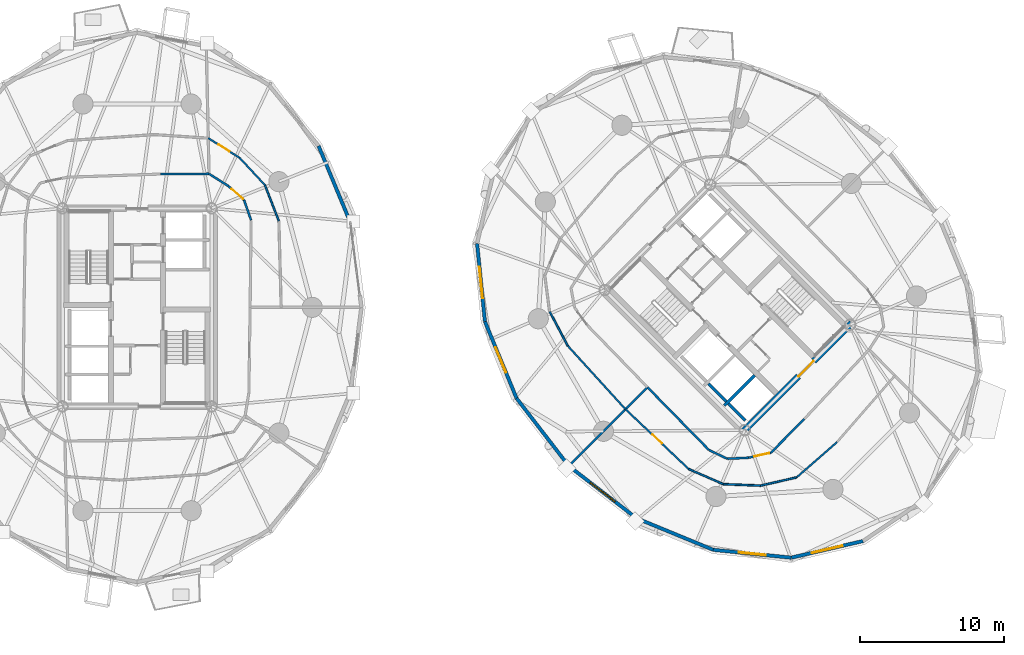
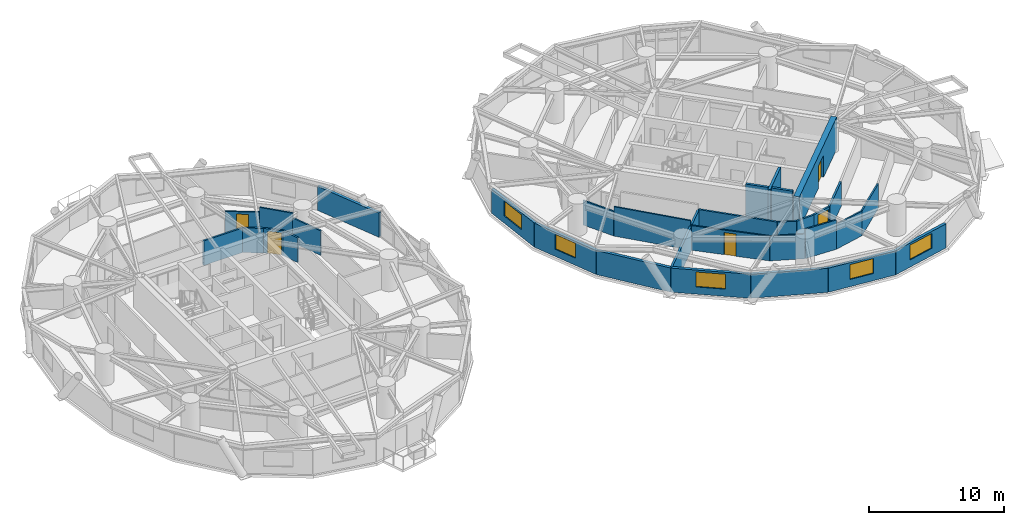
# One storey, part 12 of 18: 32 walls, 5 doors, 5 windows, 10 openings.
"""IFC4 building model written with IfcOpenShell, lengths in metres."""

from ifc_helpers import new_model, si_unit, direction, frame, frame_2d, origin, place, context, subcontext, project, spatial, rectangle, extrude, source, transform, mapped, material, layer, layer_set, type_object, element, fill, save


model = new_model("IFC4")

# Units and contexts
model_context = context("Model", 3, precision=1e-05, world=origin(), true_north=direction((0.0, 1.0)))
body_context = subcontext(model_context, "Body", "Model", "MODEL_VIEW")
ifc_project = project(units=[si_unit("LENGTHUNIT", "METRE"), si_unit("AREAUNIT", "SQUARE_METRE"), si_unit("VOLUMEUNIT", "CUBIC_METRE"), si_unit("PLANEANGLEUNIT", "RADIAN"), si_unit("MASSUNIT", "GRAM", prefix="KILO")], contexts=[model_context])

# Site, building, storey
site_placement = place(None, origin())
site = spatial("IfcSite", under=ifc_project, at=site_placement, CompositionType="ELEMENT")
building_placement = place(site_placement, origin())
building = spatial("IfcBuilding", under=site, at=building_placement, Name="Cununo Teusaquillo Station Towers", CompositionType="ELEMENT")
storey_placement = place(building_placement, frame((0.0, 0.0, 93.429931640625)))
storey = spatial("IfcBuildingStorey", under=building, at=storey_placement, Name="L29", CompositionType="ELEMENT", Elevation=93.429931640625)

# Walls
ifc_material_1 = material(Name="Concrete C50/60", Category="concrete")
ifc_layer_1 = layer(ifc_material_1, 0.199951171875)
ifc_layer_set_1 = layer_set([ifc_layer_1], Name="Concrete C50/60")
wall_type_1 = type_object("IfcWallType", Name="WL-CORE-200", PredefinedType="SHEAR", material=ifc_layer_set_1)
wall_1_placement = place(storey_placement, frame((57.2841796875, 17.6728515625, 0.0), z_axis=(0.0, 0.0, 1.0), x_axis=(0.707147878904, 0.70706568108, 0.0)))
element("IfcWall", 1, at=wall_1_placement, inside=storey, type_object=wall_type_1, Name="L29 Tower B High-Rise Lift Hoistway Divider Shear Wall", PredefinedType="SHEAR", context=body_context, shape_type="SweptSolid", body=[
    extrude(rectangle(XDim=2.97021484375, YDim=0.199951171875, at=frame_2d((1.485107421875, 0.0))), origin(), (0.0, 0.0, 1.0), 2.91015625),
])
wall_2_placement = place(storey_placement, frame((57.41162109375, 17.969970703125, 0.0), z_axis=(0.0, 0.0, 1.0), x_axis=(-0.707106781187, 0.707106781187, 0.0)))
element("IfcWall", 2, at=wall_2_placement, inside=storey, type_object=wall_type_1, Name="L29 Tower B High-Rise Lift 2 Shaft Rear Shear Wall", PredefinedType="SHEAR", context=body_context, shape_type="SweptSolid", body=[
    extrude(rectangle(XDim=1.73486328125, YDim=0.199951171875, at=frame_2d((0.867431640625, 0.0))), origin(), (0.0, 0.0, 1.0), 2.91015625),
])
wall_3_placement = place(storey_placement, frame((58.7373046875, 16.64404296875, 0.0), z_axis=(0.0, 0.0, 1.0), x_axis=(-0.707032117043, 0.707181437447, 0.0)))
element("IfcWall", 3, at=wall_3_placement, inside=storey, type_object=wall_type_1, Name="L29 Tower B High-Rise Lift 1 Shaft Rear Shear Wall", PredefinedType="SHEAR", context=body_context, shape_type="SweptSolid", body=[
    extrude(rectangle(XDim=1.635009765625, YDim=0.199951171875, at=frame_2d((0.8173828125, 0.0))), origin(), (0.0, 0.0, 1.0), 2.91015625),
])

# Wall, opening, door
ifc_material_2 = material(Name="Concrete C60/75", Category="concrete")
ifc_layer_2 = layer(ifc_material_2, 0.449951171875)
ifc_layer_set_2 = layer_set([ifc_layer_2], Name="Concrete C60/75")
wall_type_2 = type_object("IfcWallType", Name="WL-CORE-450", PredefinedType="SHEAR", material=ifc_layer_set_2)
wall_4_placement = place(storey_placement, frame((58.578369140625, 15.855712890625, 0.0), z_axis=(0.0, 0.0, 1.0), x_axis=(0.707106781187, 0.707106781187, 0.0)))
wall_4 = element("IfcWall", 4, at=wall_4_placement, inside=storey, type_object=wall_type_2, Name="L29 Tower B Core Shear Wall S", PredefinedType="SHEAR", context=body_context, shape_type="SweptSolid", body=[
    extrude(rectangle(XDim=10.69970703125, YDim=0.449951171875, at=frame_2d((5.349853515625, 0.0))), origin(), (0.0, 0.0, 1.0), 2.91015625),
])
shared_shape_1 = source(origin(), body_context, "Body", "SweptSolid", [
    extrude(rectangle(XDim=1.5, YDim=2.02001953125, at=frame_2d((0.75, 1.010009765625))), frame((0.0, 0.23486328125, 0.0), z_axis=(0.0, -1.0, 0.0), x_axis=(1.0, 0.0, 0.0)), (0.0, 0.0, 1.0), 0.469970703125),
])
opening_1_placement = place(wall_4_placement, frame((5.449951171875, 0.0, 0.0)))
opening_1 = element("IfcOpeningElement", 5, at=opening_1_placement, cuts=wall_4, Name="Opening D-LB1", PredefinedType="OPENING", context=body_context, shape_type="MappedRepresentation", body=[
    mapped(shared_shape_1, transform((0.0, 0.0, 0.0), x_axis=(1.0, 0.0, 0.0), y_axis=(0.0, 1.0, 0.0), z_axis=(0.0, 0.0, 1.0), scale=1.0)),
])
ifc_material_3 = material(Name="Galvanised fire-rated hollow steel door assembly", Category="steel")
door_type_1 = type_object("IfcDoorType", Name="DR-LOBBY-1500", OperationType="DOUBLE_DOOR_SINGLE_SWING", PredefinedType="DOOR", material=ifc_material_3)
shared_shape_2 = source(origin(), body_context, "Body", "SweptSolid", [
    extrude(rectangle(XDim=1.5, YDim=2.02001953125, at=frame_2d((0.75, 1.010009765625))), frame((0.0, 0.02490234375, 0.0), z_axis=(0.0, -1.0, 0.0), x_axis=(1.0, 0.0, 0.0)), (0.0, 0.0, 1.0), 0.050048828125),
])
door_1_placement = place(opening_1_placement, origin())
door_1 = element("IfcDoor", 6, at=door_1_placement, inside=storey, type_object=door_type_1, Name="L29 Tower B South Core Lift Lobby Door", OperationType="DOUBLE_DOOR_SINGLE_SWING", OverallHeight=2.02001953125, OverallWidth=1.5, PredefinedType="DOOR", context=body_context, shape_type="MappedRepresentation", body=[
    mapped(shared_shape_2, transform((0.0, 0.0, 0.0), x_axis=(1.0, 0.0, 0.0), y_axis=(0.0, 1.0, 0.0), z_axis=(0.0, 0.0, 1.0), scale=1.0)),
])
fill(opening_1, door_1)

# Wall
ifc_material_4 = material(Name="Precast concrete C40/50", Category="concrete")
ifc_layer_3 = layer(ifc_material_4, 0.239990234375)
ifc_layer_set_3 = layer_set([ifc_layer_3], Name="Precast concrete C40/50")
wall_type_3 = type_object("IfcWallType", Name="WL-EXT-240", PredefinedType="SOLIDWALL", material=ifc_layer_set_3)
wall_5_placement = place(storey_placement, frame((29.105224609375, 35.708984375, 0.0), z_axis=(0.0, 0.0, 1.0), x_axis=(0.384344417632, -0.923189779317, 0.0)))
element("IfcWall", 7, at=wall_5_placement, inside=storey, type_object=wall_type_3, Name="L29 Tower A Exterior Facade Wall C01", PredefinedType="SOLIDWALL", context=body_context, shape_type="SweptSolid", body=[
    extrude(rectangle(XDim=5.75830078125, YDim=0.239990234375, at=frame_2d((2.879150390625, 0.0))), origin(), (0.0, 0.0, 1.0), 2.178955078125),
])

# Wall, opening, window
wall_6_placement = place(storey_placement, frame((40.66064453125, 23.5126953125, 0.0), z_axis=(0.0, 0.0, 1.0), x_axis=(-0.10015591906, 0.994971754311, 0.0)))
wall_6 = element("IfcWall", 8, at=wall_6_placement, inside=storey, type_object=wall_type_3, Name="L29 Tower B Exterior Facade Wall C07", PredefinedType="SOLIDWALL", context=body_context, shape_type="SweptSolid", body=[
    extrude(rectangle(XDim=5.447998046875, YDim=0.239990234375, at=frame_2d((2.72412109375, 0.0))), origin(), (0.0, 0.0, 1.0), 2.178955078125),
])
shared_shape_3 = source(origin(), body_context, "Body", "SweptSolid", [
    extrude(rectangle(XDim=2.199951171875, YDim=1.35009765625, at=frame_2d((1.10009765625, 0.675048828125))), frame((0.0, 0.1298828125, 0.0), z_axis=(0.0, -1.0, 0.0), x_axis=(1.0, 0.0, 0.0)), (0.0, 0.0, 1.0), 0.260009765625),
])
opening_2_placement = place(wall_6_placement, frame((1.6240234375, 0.0, 0.64990234375)))
opening_2 = element("IfcOpeningElement", 9, at=opening_2_placement, cuts=wall_6, Name="Opening WN-01", PredefinedType="OPENING", context=body_context, shape_type="MappedRepresentation", body=[
    mapped(shared_shape_3, transform((0.0, 0.0, 0.0), x_axis=(1.0, 0.0, 0.0), y_axis=(0.0, 1.0, 0.0), z_axis=(0.0, 0.0, 1.0), scale=1.0)),
])
ifc_material_5 = material(Name="Ceramic-fritted dark low-E double glazing", Category="glass")
window_type_1 = type_object("IfcWindowType", Name="WIN-FRIT-2200", PartitioningType="DOUBLE_PANEL_VERTICAL", PredefinedType="WINDOW", material=ifc_material_5)
shared_shape_4 = source(origin(), body_context, "Body", "SweptSolid", [
    extrude(rectangle(XDim=2.199951171875, YDim=1.35009765625, at=frame_2d((1.10009765625, 0.675048828125))), frame((0.0, 0.030029296875, 0.0), z_axis=(0.0, -1.0, 0.0), x_axis=(1.0, 0.0, 0.0)), (0.0, 0.0, 1.0), 0.06005859375),
])
window_1_placement = place(opening_2_placement, origin())
window_1 = element("IfcWindow", 10, at=window_1_placement, inside=storey, type_object=window_type_1, Name="L29 Tower B Facade Window C07", OverallHeight=1.35009765625, OverallWidth=2.199951171875, PartitioningType="DOUBLE_PANEL_VERTICAL", PredefinedType="WINDOW", context=body_context, shape_type="MappedRepresentation", body=[
    mapped(shared_shape_4, transform((0.0, 0.0, 0.0), x_axis=(1.0, 0.0, 0.0), y_axis=(0.0, 1.0, 0.0), z_axis=(0.0, 0.0, 1.0), scale=1.0)),
])
fill(opening_2, window_1)

wall_7_placement = place(storey_placement, frame((42.854736328125, 18.188720703125, 0.0), z_axis=(0.0, 0.0, 1.0), x_axis=(-0.381027003055, 0.924563909604, 0.0)))
wall_7 = element("IfcWall", 11, at=wall_7_placement, inside=storey, type_object=wall_type_3, Name="L29 Tower B Exterior Facade Wall C08", PredefinedType="SOLIDWALL", context=body_context, shape_type="SweptSolid", body=[
    extrude(rectangle(XDim=5.75830078125, YDim=0.239990234375, at=frame_2d((2.879150390625, 0.0))), origin(), (0.0, 0.0, 1.0), 2.178955078125),
])
shared_shape_5 = source(origin(), body_context, "Body", "SweptSolid", [
    extrude(rectangle(XDim=1.89990234375, YDim=1.35009765625, at=frame_2d((0.949951171875, 0.675048828125))), frame((0.0, 0.1298828125, 0.0), z_axis=(0.0, -1.0, 0.0), x_axis=(1.0, 0.0, 0.0)), (0.0, 0.0, 1.0), 0.260009765625),
])
opening_3_placement = place(wall_7_placement, frame((1.928955078125, 0.0, 0.64990234375)))
opening_3 = element("IfcOpeningElement", 12, at=opening_3_placement, cuts=wall_7, Name="Opening WN-02", PredefinedType="OPENING", context=body_context, shape_type="MappedRepresentation", body=[
    mapped(shared_shape_5, transform((0.0, 0.0, 0.0), x_axis=(1.0, 0.0, 0.0), y_axis=(0.0, 1.0, 0.0), z_axis=(0.0, 0.0, 1.0), scale=1.0)),
])
ifc_material_6 = material(Name="Operable acoustic tinted low-E double glazing", Category="glass")
window_type_2 = type_object("IfcWindowType", Name="WIN-OPER-1900", PartitioningType="DOUBLE_PANEL_VERTICAL", PredefinedType="WINDOW", material=ifc_material_6)
shared_shape_6 = source(origin(), body_context, "Body", "SweptSolid", [
    extrude(rectangle(XDim=1.89990234375, YDim=1.35009765625, at=frame_2d((0.949951171875, 0.675048828125))), frame((0.0, 0.030029296875, 0.0), z_axis=(0.0, -1.0, 0.0), x_axis=(1.0, 0.0, 0.0)), (0.0, 0.0, 1.0), 0.06005859375),
])
window_2_placement = place(opening_3_placement, origin())
window_2 = element("IfcWindow", 13, at=window_2_placement, inside=storey, type_object=window_type_2, Name="L29 Tower B Facade Window C08", OverallHeight=1.35009765625, OverallWidth=1.89990234375, PartitioningType="DOUBLE_PANEL_VERTICAL", PredefinedType="WINDOW", context=body_context, shape_type="MappedRepresentation", body=[
    mapped(shared_shape_6, transform((0.0, 0.0, 0.0), x_axis=(1.0, 0.0, 0.0), y_axis=(0.0, 1.0, 0.0), z_axis=(0.0, 0.0, 1.0), scale=1.0)),
])
fill(opening_3, window_2)

# Wall
wall_8_placement = place(storey_placement, frame((46.482666015625, 13.482666015625, 0.0), z_axis=(0.0, 0.0, 1.0), x_axis=(-0.61054437102, 0.791982052206, 0.0)))
element("IfcWall", 14, at=wall_8_placement, inside=storey, type_object=wall_type_3, Name="L29 Tower B Exterior Facade Wall C09", PredefinedType="SOLIDWALL", context=body_context, shape_type="SweptSolid", body=[
    extrude(rectangle(XDim=5.942138671875, YDim=0.239990234375, at=frame_2d((2.97119140625, 0.0))), origin(), (0.0, 0.0, 1.0), 2.178955078125),
])

# Wall, opening, window
wall_9_placement = place(storey_placement, frame((51.188720703125, 9.854736328125, 0.0), z_axis=(0.0, 0.0, 1.0), x_axis=(-0.791982052206, 0.61054437102, 0.0)))
wall_9 = element("IfcWall", 15, at=wall_9_placement, inside=storey, type_object=wall_type_3, Name="L29 Tower B Exterior Facade Wall C10", PredefinedType="SOLIDWALL", context=body_context, shape_type="SweptSolid", body=[
    extrude(rectangle(XDim=5.942138671875, YDim=0.239990234375, at=frame_2d((2.97119140625, 0.0))), origin(), (0.0, 0.0, 1.0), 2.178955078125),
])
opening_4_placement = place(wall_9_placement, frame((1.87109375, 0.0, 0.64990234375)))
opening_4 = element("IfcOpeningElement", 16, at=opening_4_placement, cuts=wall_9, Name="Opening WN-01", PredefinedType="OPENING", context=body_context, shape_type="MappedRepresentation", body=[
    mapped(shared_shape_3, transform((0.0, 0.0, 0.0), x_axis=(1.0, 0.0, 0.0), y_axis=(0.0, 1.0, 0.0), z_axis=(0.0, 0.0, 1.0), scale=1.0)),
])
window_3_placement = place(opening_4_placement, origin())
window_3 = element("IfcWindow", 17, at=window_3_placement, inside=storey, type_object=window_type_1, Name="L29 Tower B Facade Window C10", OverallHeight=1.35009765625, OverallWidth=2.199951171875, PartitioningType="DOUBLE_PANEL_VERTICAL", PredefinedType="WINDOW", context=body_context, shape_type="MappedRepresentation", body=[
    mapped(shared_shape_4, transform((0.0, 0.0, 0.0), x_axis=(1.0, 0.0, 0.0), y_axis=(0.0, 1.0, 0.0), z_axis=(0.0, 0.0, 1.0), scale=1.0)),
])
fill(opening_4, window_3)

# Wall
wall_10_placement = place(storey_placement, frame((56.5126953125, 7.66064453125, 0.0), z_axis=(0.0, 0.0, 1.0), x_axis=(-0.924563909604, 0.381027003055, 0.0)))
element("IfcWall", 18, at=wall_10_placement, inside=storey, type_object=wall_type_3, Name="L29 Tower B Exterior Facade Wall C11", PredefinedType="SOLIDWALL", context=body_context, shape_type="SweptSolid", body=[
    extrude(rectangle(XDim=5.75830078125, YDim=0.239990234375, at=frame_2d((2.879150390625, 0.0))), origin(), (0.0, 0.0, 1.0), 2.178955078125),
])

# Wall, opening, window
wall_11_placement = place(storey_placement, frame((61.933349609375, 7.114990234375, 0.0), z_axis=(0.0, 0.0, 1.0), x_axis=(-0.994971754311, 0.10015591906, 0.0)))
wall_11 = element("IfcWall", 19, at=wall_11_placement, inside=storey, type_object=wall_type_3, Name="L29 Tower B Exterior Facade Wall C12", PredefinedType="SOLIDWALL", context=body_context, shape_type="SweptSolid", body=[
    extrude(rectangle(XDim=5.447998046875, YDim=0.239990234375, at=frame_2d((2.72412109375, 0.0))), origin(), (0.0, 0.0, 1.0), 2.178955078125),
])
opening_5_placement = place(wall_11_placement, frame((1.77392578125, 0.0, 0.64990234375)))
opening_5 = element("IfcOpeningElement", 20, at=opening_5_placement, cuts=wall_11, Name="Opening WN-02", PredefinedType="OPENING", context=body_context, shape_type="MappedRepresentation", body=[
    mapped(shared_shape_5, transform((0.0, 0.0, 0.0), x_axis=(1.0, 0.0, 0.0), y_axis=(0.0, 1.0, 0.0), z_axis=(0.0, 0.0, 1.0), scale=1.0)),
])
window_4_placement = place(opening_5_placement, origin())
window_4 = element("IfcWindow", 21, at=window_4_placement, inside=storey, type_object=window_type_2, Name="L29 Tower B Facade Window C12", OverallHeight=1.35009765625, OverallWidth=1.89990234375, PartitioningType="DOUBLE_PANEL_VERTICAL", PredefinedType="WINDOW", context=body_context, shape_type="MappedRepresentation", body=[
    mapped(shared_shape_6, transform((0.0, 0.0, 0.0), x_axis=(1.0, 0.0, 0.0), y_axis=(0.0, 1.0, 0.0), z_axis=(0.0, 0.0, 1.0), scale=1.0)),
])
fill(opening_5, window_4)

wall_12_placement = place(storey_placement, frame((66.919921875, 8.27099609375, 0.0), z_axis=(0.0, 0.0, 1.0), x_axis=(-0.974165631126, -0.225834725257, 0.0)))
wall_12 = element("IfcWall", 22, at=wall_12_placement, inside=storey, type_object=wall_type_3, Name="L29 Tower B Exterior Facade Wall C13", PredefinedType="SOLIDWALL", context=body_context, shape_type="SweptSolid", body=[
    extrude(rectangle(XDim=5.118896484375, YDim=0.239990234375, at=frame_2d((2.5595703125, 0.0))), origin(), (0.0, 0.0, 1.0), 2.178955078125),
])
opening_6_placement = place(wall_12_placement, frame((1.458984375, 0.0, 0.64990234375)))
opening_6 = element("IfcOpeningElement", 23, at=opening_6_placement, cuts=wall_12, Name="Opening WN-01", PredefinedType="OPENING", context=body_context, shape_type="MappedRepresentation", body=[
    mapped(shared_shape_3, transform((0.0, 0.0, 0.0), x_axis=(1.0, 0.0, 0.0), y_axis=(0.0, 1.0, 0.0), z_axis=(0.0, 0.0, 1.0), scale=1.0)),
])
window_5_placement = place(opening_6_placement, origin())
window_5 = element("IfcWindow", 24, at=window_5_placement, inside=storey, type_object=window_type_1, Name="L29 Tower B Facade Window C13", OverallHeight=1.35009765625, OverallWidth=2.199951171875, PartitioningType="DOUBLE_PANEL_VERTICAL", PredefinedType="WINDOW", context=body_context, shape_type="MappedRepresentation", body=[
    mapped(shared_shape_4, transform((0.0, 0.0, 0.0), x_axis=(1.0, 0.0, 0.0), y_axis=(0.0, 1.0, 0.0), z_axis=(0.0, 0.0, 1.0), scale=1.0)),
])
fill(opening_6, window_5)

# Walls
ifc_material_7 = material(Name="Fire-rated gypsum plasterboard partition assembly", Category="gypsum")
ifc_layer_4 = layer(ifc_material_7, 0.125)
ifc_layer_set_4 = layer_set([ifc_layer_4], Name="Fire-rated gypsum plasterboard partition assembly")
wall_type_4 = type_object("IfcWallType", Name="WL-PART-125", PredefinedType="PARTITIONING", material=ifc_layer_set_4)
wall_13_placement = place(storey_placement, frame((26.34619140625, 30.50390625, 0.0), z_axis=(0.0, 0.0, 1.0), x_axis=(-0.362402208915, 0.932021801769, 0.0)))
element("IfcWall", 25, at=wall_13_placement, inside=storey, type_object=wall_type_4, Name="L29 Tower A Digital Engineering Open Workplace Concentric Partition Wall C01", PredefinedType="PARTITIONING", context=body_context, shape_type="SweptSolid", body=[
    extrude(rectangle(XDim=2.674560546875, YDim=0.125, at=frame_2d((1.33740234375, 0.0))), origin(), (0.0, 0.0, 1.0), 2.22509765625),
])
wall_14_placement = place(storey_placement, frame((25.376953125, 32.99658203125, 0.0), z_axis=(0.0, 0.0, 1.0), x_axis=(-0.680516524321, 0.732732734445, 0.0)))
element("IfcWall", 26, at=wall_14_placement, inside=storey, type_object=wall_type_4, Name="L29 Tower A Digital Engineering Open Workplace Concentric Partition Wall C02", PredefinedType="PARTITIONING", context=body_context, shape_type="SweptSolid", body=[
    extrude(rectangle(XDim=2.576171875, YDim=0.125, at=frame_2d((1.2880859375, 0.0))), origin(), (0.0, 0.0, 1.0), 2.655029296875),
])

# Wall, opening, door
wall_15_placement = place(storey_placement, frame((23.623779296875, 34.88427734375, 0.0), z_axis=(0.0, 0.0, 1.0), x_axis=(-0.84728326465, 0.531141289531, 0.0)))
wall_15 = element("IfcWall", 27, at=wall_15_placement, inside=storey, type_object=wall_type_4, Name="L29 Tower A Digital Engineering Open Workplace Concentric Partition Wall C03", PredefinedType="PARTITIONING", context=body_context, shape_type="SweptSolid", body=[
    extrude(rectangle(XDim=2.5732421875, YDim=0.125, at=frame_2d((1.28662109375, 0.0))), origin(), (0.0, 0.0, 1.0), 2.22509765625),
])
shared_shape_7 = source(origin(), body_context, "Body", "SweptSolid", [
    extrude(rectangle(XDim=0.89990234375, YDim=2.0048828125, at=frame_2d((0.449951171875, 1.00244140625))), frame((0.0, 0.072509765625, 0.0), z_axis=(0.0, -1.0, 0.0), x_axis=(1.0, 0.0, 0.0)), (0.0, 0.0, 1.0), 0.14501953125),
])
opening_7_placement = place(wall_15_placement, frame((0.83642578125, 0.0, 0.0)))
opening_7 = element("IfcOpeningElement", 28, at=opening_7_placement, cuts=wall_15, Name="Opening D-IN1", PredefinedType="OPENING", context=body_context, shape_type="MappedRepresentation", body=[
    mapped(shared_shape_7, transform((0.0, 0.0, 0.0), x_axis=(1.0, 0.0, 0.0), y_axis=(0.0, 1.0, 0.0), z_axis=(0.0, 0.0, 1.0), scale=1.0)),
])
ifc_material_8 = material(Name="Acoustic solid-core hardwood leaf assembly", Category="wood")
door_type_2 = type_object("IfcDoorType", Name="DR-INT-900", OperationType="NOTDEFINED", PredefinedType="DOOR", material=ifc_material_8)
shared_shape_8 = source(origin(), body_context, "Body", "SweptSolid", [
    extrude(rectangle(XDim=0.89990234375, YDim=2.0048828125, at=frame_2d((0.449951171875, 1.00244140625))), frame((0.0, 0.02490234375, 0.0), z_axis=(0.0, -1.0, 0.0), x_axis=(1.0, 0.0, 0.0)), (0.0, 0.0, 1.0), 0.050048828125),
])
door_2_placement = place(opening_7_placement, origin())
door_2 = element("IfcDoor", 29, at=door_2_placement, inside=storey, type_object=door_type_2, Name="L29 Tower A Digital Engineering Open Workplace Connecting Door", OperationType="SINGLE_SWING_LEFT", OverallHeight=2.0048828125, OverallWidth=0.89990234375, PredefinedType="DOOR", context=body_context, shape_type="MappedRepresentation", body=[
    mapped(shared_shape_8, transform((0.0, 0.0, 0.0), x_axis=(1.0, 0.0, 0.0), y_axis=(0.0, 1.0, 0.0), z_axis=(0.0, 0.0, 1.0), scale=1.0)),
])
fill(opening_7, door_2)

# Walls
wall_16_placement = place(storey_placement, frame((45.147705078125, 24.216552734375, 0.0), z_axis=(0.0, 0.0, 1.0), x_axis=(0.46760107134, -0.883939612237, 0.0)))
element("IfcWall", 30, at=wall_16_placement, inside=storey, type_object=wall_type_4, Name="L29 Tower B Client Demo Briefing Gallery Concentric Partition Wall C08", PredefinedType="PARTITIONING", context=body_context, shape_type="SweptSolid", body=[
    extrude(rectangle(XDim=2.700439453125, YDim=0.125, at=frame_2d((1.35009765625, 0.0))), origin(), (0.0, 0.0, 1.0), 2.22509765625),
])
wall_17_placement = place(storey_placement, frame((46.410400390625, 21.82958984375, 0.0), z_axis=(0.0, 0.0, 1.0), x_axis=(0.6732109009, -0.739450527696, 0.0)))
element("IfcWall", 31, at=wall_17_placement, inside=storey, type_object=wall_type_4, Name="L29 Tower B Client Demo Briefing Gallery Concentric Partition Wall C09", PredefinedType="PARTITIONING", context=body_context, shape_type="SweptSolid", body=[
    extrude(rectangle(XDim=5.959716796875, YDim=0.125, at=frame_2d((2.97998046875, 0.0))), origin(), (0.0, 0.0, 1.0), 2.655029296875),
])

# Wall, opening, door
wall_18_placement = place(storey_placement, frame((50.422607421875, 17.422607421875, 0.0), z_axis=(0.0, 0.0, 1.0), x_axis=(0.726497320663, -0.68716929724, 0.0)))
wall_18 = element("IfcWall", 32, at=wall_18_placement, inside=storey, type_object=wall_type_4, Name="L29 Tower B Staff Espresso & Pantry Lounge Concentric Partition Wall C10", PredefinedType="PARTITIONING", context=body_context, shape_type="SweptSolid", body=[
    extrude(rectangle(XDim=6.040283203125, YDim=0.125, at=frame_2d((3.02001953125, 0.0))), origin(), (0.0, 0.0, 1.0), 2.22509765625),
])
opening_8_placement = place(wall_18_placement, frame((2.570068359375, 0.0, 0.0)))
opening_8 = element("IfcOpeningElement", 33, at=opening_8_placement, cuts=wall_18, Name="Opening D-IN1", PredefinedType="OPENING", context=body_context, shape_type="MappedRepresentation", body=[
    mapped(shared_shape_7, transform((0.0, 0.0, 0.0), x_axis=(1.0, 0.0, 0.0), y_axis=(0.0, 1.0, 0.0), z_axis=(0.0, 0.0, 1.0), scale=1.0)),
])
door_3_placement = place(opening_8_placement, origin())
door_3 = element("IfcDoor", 34, at=door_3_placement, inside=storey, type_object=door_type_2, Name="L29 Tower B Staff Espresso & Pantry Lounge Connecting Door", OperationType="SINGLE_SWING_LEFT", OverallHeight=2.0048828125, OverallWidth=0.89990234375, PredefinedType="DOOR", context=body_context, shape_type="MappedRepresentation", body=[
    mapped(shared_shape_8, transform((0.0, 0.0, 0.0), x_axis=(1.0, 0.0, 0.0), y_axis=(0.0, 1.0, 0.0), z_axis=(0.0, 0.0, 1.0), scale=1.0)),
])
fill(opening_8, door_3)

# Walls
wall_19_placement = place(storey_placement, frame((54.810791015625, 13.27197265625, 0.0), z_axis=(0.0, 0.0, 1.0), x_axis=(0.91625765715, -0.400589447831, 0.0)))
element("IfcWall", 35, at=wall_19_placement, inside=storey, type_object=wall_type_4, Name="L29 Tower B Staff Espresso & Pantry Lounge Concentric Partition Wall C11", PredefinedType="PARTITIONING", context=body_context, shape_type="SweptSolid", body=[
    extrude(rectangle(XDim=2.624267578125, YDim=0.125, at=frame_2d((1.31201171875, 0.0))), origin(), (0.0, 0.0, 1.0), 2.22509765625),
])
wall_20_placement = place(storey_placement, frame((57.21533203125, 12.220703125, 0.0), z_axis=(0.0, 0.0, 1.0), x_axis=(0.999225050732, -0.039361122818, 0.0)))
element("IfcWall", 36, at=wall_20_placement, inside=storey, type_object=wall_type_4, Name="L29 Tower B Staff Espresso & Pantry Lounge Concentric Partition Wall C12", PredefinedType="PARTITIONING", context=body_context, shape_type="SweptSolid", body=[
    extrude(rectangle(XDim=2.58642578125, YDim=0.125, at=frame_2d((1.293212890625, 0.0))), origin(), (0.0, 0.0, 1.0), 2.655029296875),
])
wall_21_placement = place(storey_placement, frame((59.7998046875, 12.118896484375, 0.0), z_axis=(0.0, 0.0, 1.0), x_axis=(0.975045061532, 0.222007044895, 0.0)))
element("IfcWall", 37, at=wall_21_placement, inside=storey, type_object=wall_type_4, Name="L29 Tower B Staff Espresso & Pantry Lounge Concentric Partition Wall C13", PredefinedType="PARTITIONING", context=body_context, shape_type="SweptSolid", body=[
    extrude(rectangle(XDim=2.570068359375, YDim=0.125, at=frame_2d((1.28515625, 0.0))), origin(), (0.0, 0.0, 1.0), 2.22509765625),
])
wall_22_placement = place(storey_placement, frame((62.3056640625, 12.689453125, 0.0), z_axis=(0.0, 0.0, 1.0), x_axis=(0.753127589311, 0.657874482115, 0.0)))
element("IfcWall", 38, at=wall_22_placement, inside=storey, type_object=wall_type_4, Name="L29 Tower B Staff Espresso & Pantry Lounge Concentric Partition Wall C14", PredefinedType="PARTITIONING", context=body_context, shape_type="SweptSolid", body=[
    extrude(rectangle(XDim=3.73193359375, YDim=0.125, at=frame_2d((1.865966796875, 0.0))), origin(), (0.0, 0.0, 1.0), 2.22509765625),
])
ifc_material_9 = material(Name="Fire-rated gypsum plasterboard partition assembly", Category="gypsum")
ifc_layer_5 = layer(ifc_material_9, 0.14990234375)
ifc_layer_set_5 = layer_set([ifc_layer_5], Name="Fire-rated gypsum plasterboard partition assembly")
wall_type_5 = type_object("IfcWallType", Name="WL-PART-150", PredefinedType="PARTITIONING", material=ifc_layer_set_5)
wall_23_placement = place(storey_placement, frame((24.420166015625, 30.54931640625, 0.0), z_axis=(0.0, 0.0, 1.0), x_axis=(-0.329071042252, 0.944305167386, 0.0)))
element("IfcWall", 39, at=wall_23_placement, inside=storey, type_object=wall_type_5, Name="L29 Tower A Corridor Ring Wall C01", PredefinedType="PARTITIONING", context=body_context, shape_type="SweptSolid", body=[
    extrude(rectangle(XDim=1.479248046875, YDim=0.14990234375, at=frame_2d((0.73974609375, 0.0))), origin(), (0.0, 0.0, 1.0), 2.22509765625),
])

# Wall, opening, door
wall_24_placement = place(storey_placement, frame((23.933349609375, 31.9462890625, 0.0), z_axis=(0.0, 0.0, 1.0), x_axis=(-0.744529651383, 0.667589393423, 0.0)))
wall_24 = element("IfcWall", 40, at=wall_24_placement, inside=storey, type_object=wall_type_5, Name="L29 Tower A Corridor Ring Wall C02", PredefinedType="PARTITIONING", context=body_context, shape_type="SweptSolid", body=[
    extrude(rectangle(XDim=1.472412109375, YDim=0.14990234375, at=frame_2d((0.736328125, 0.0))), origin(), (0.0, 0.0, 1.0), 2.22509765625),
])
shared_shape_9 = source(origin(), body_context, "Body", "SweptSolid", [
    extrude(rectangle(XDim=1.050048828125, YDim=2.014892578125, at=frame_2d((0.52490234375, 1.00732421875))), frame((0.0, 0.0849609375, 0.0), z_axis=(0.0, -1.0, 0.0), x_axis=(1.0, 0.0, 0.0)), (0.0, 0.0, 1.0), 0.169921875),
])
opening_9_placement = place(wall_24_placement, frame((0.1201171875, 0.0, 0.0)))
opening_9 = element("IfcOpeningElement", 41, at=opening_9_placement, cuts=wall_24, Name="Opening D-SU1", PredefinedType="OPENING", context=body_context, shape_type="MappedRepresentation", body=[
    mapped(shared_shape_9, transform((0.0, 0.0, 0.0), x_axis=(1.0, 0.0, 0.0), y_axis=(0.0, 1.0, 0.0), z_axis=(0.0, 0.0, 1.0), scale=1.0)),
])
ifc_material_10 = material(Name="Acoustic solid-core hardwood leaf assembly", Category="wood")
door_type_3 = type_object("IfcDoorType", Name="DR-SUITE-1050", OperationType="NOTDEFINED", PredefinedType="DOOR", material=ifc_material_10)
shared_shape_10 = source(origin(), body_context, "Body", "SweptSolid", [
    extrude(rectangle(XDim=1.050048828125, YDim=2.014892578125, at=frame_2d((0.52490234375, 1.00732421875))), frame((0.0, 0.02490234375, 0.0), z_axis=(0.0, -1.0, 0.0), x_axis=(1.0, 0.0, 0.0)), (0.0, 0.0, 1.0), 0.050048828125),
])
door_4_placement = place(opening_9_placement, origin())
door_4 = element("IfcDoor", 42, at=door_4_placement, inside=storey, type_object=door_type_3, Name="L29 Tower A Digital Engineering Open Workplace Entrance Door", OperationType="SINGLE_SWING_RIGHT", OverallHeight=2.014892578125, OverallWidth=1.050048828125, PredefinedType="DOOR", context=body_context, shape_type="MappedRepresentation", body=[
    mapped(shared_shape_10, transform((0.0, 0.0, 0.0), x_axis=(1.0, 0.0, 0.0), y_axis=(0.0, 1.0, 0.0), z_axis=(0.0, 0.0, 1.0), scale=1.0)),
])
fill(opening_9, door_4)

# Walls
wall_25_placement = place(storey_placement, frame((22.837158203125, 32.92919921875, 0.0), z_axis=(0.0, 0.0, 1.0), x_axis=(-0.84581079329, 0.533482991252, 0.0)))
element("IfcWall", 43, at=wall_25_placement, inside=storey, type_object=wall_type_5, Name="L29 Tower A Corridor Ring Wall C03", PredefinedType="PARTITIONING", context=body_context, shape_type="SweptSolid", body=[
    extrude(rectangle(XDim=1.585205078125, YDim=0.14990234375, at=frame_2d((0.79248046875, 0.0))), origin(), (0.0, 0.0, 1.0), 2.22509765625),
])
wall_26_placement = place(storey_placement, frame((21.496337890625, 33.77490234375, 0.0), z_axis=(0.0, 0.0, 1.0), x_axis=(-0.999989544737, -0.004572790979, 0.0)))
element("IfcWall", 44, at=wall_26_placement, inside=storey, type_object=wall_type_5, Name="L29 Tower A Corridor Ring Wall C04", PredefinedType="PARTITIONING", context=body_context, shape_type="SweptSolid", body=[
    extrude(rectangle(XDim=3.363525390625, YDim=0.14990234375, at=frame_2d((1.681640625, 0.0))), origin(), (0.0, 0.0, 1.0), 2.22509765625),
])
wall_27_placement = place(storey_placement, frame((51.94921875, 18.94921875, 0.0), z_axis=(0.0, 0.0, 1.0), x_axis=(0.699801520154, -0.714337337951, 0.0)))
element("IfcWall", 45, at=wall_27_placement, inside=storey, type_object=wall_type_5, Name="L29 Tower B Corridor Ring Wall C10", PredefinedType="PARTITIONING", context=body_context, shape_type="SweptSolid", body=[
    extrude(rectangle(XDim=6.096923828125, YDim=0.14990234375, at=frame_2d((3.04833984375, 0.0))), origin(), (0.0, 0.0, 1.0), 2.22509765625),
])
wall_28_placement = place(storey_placement, frame((56.2158203125, 14.593994140625, 0.0), z_axis=(0.0, 0.0, 1.0), x_axis=(0.902219207281, -0.431277755064, 0.0)))
element("IfcWall", 46, at=wall_28_placement, inside=storey, type_object=wall_type_5, Name="L29 Tower B Corridor Ring Wall C11", PredefinedType="PARTITIONING", context=body_context, shape_type="SweptSolid", body=[
    extrude(rectangle(XDim=1.40966796875, YDim=0.14990234375, at=frame_2d((0.704833984375, 0.0))), origin(), (0.0, 0.0, 1.0), 2.22509765625),
])
wall_29_placement = place(storey_placement, frame((57.487548828125, 13.986083984375, 0.0), z_axis=(0.0, 0.0, 1.0), x_axis=(0.998863298217, 0.047666670476, 0.0)))
element("IfcWall", 47, at=wall_29_placement, inside=storey, type_object=wall_type_5, Name="L29 Tower B Corridor Ring Wall C12", PredefinedType="PARTITIONING", context=body_context, shape_type="SweptSolid", body=[
    extrude(rectangle(XDim=1.4853515625, YDim=0.14990234375, at=frame_2d((0.74267578125, 0.0))), origin(), (0.0, 0.0, 1.0), 2.22509765625),
])

# Wall, opening, door
wall_30_placement = place(storey_placement, frame((58.97119140625, 14.056884765625, 0.0), z_axis=(0.0, 0.0, 1.0), x_axis=(0.976085233804, 0.217388169756, 0.0)))
wall_30 = element("IfcWall", 48, at=wall_30_placement, inside=storey, type_object=wall_type_5, Name="L29 Tower B Corridor Ring Wall C13", PredefinedType="PARTITIONING", context=body_context, shape_type="SweptSolid", body=[
    extrude(rectangle(XDim=1.581298828125, YDim=0.14990234375, at=frame_2d((0.79052734375, 0.0))), origin(), (0.0, 0.0, 1.0), 2.22509765625),
])
opening_10_placement = place(wall_30_placement, frame((0.4111328125, 0.0, 0.0)))
opening_10 = element("IfcOpeningElement", 49, at=opening_10_placement, cuts=wall_30, Name="Opening D-SU1", PredefinedType="OPENING", context=body_context, shape_type="MappedRepresentation", body=[
    mapped(shared_shape_9, transform((0.0, 0.0, 0.0), x_axis=(1.0, 0.0, 0.0), y_axis=(0.0, 1.0, 0.0), z_axis=(0.0, 0.0, 1.0), scale=1.0)),
])
door_5_placement = place(opening_10_placement, origin())
door_5 = element("IfcDoor", 50, at=door_5_placement, inside=storey, type_object=door_type_3, Name="L29 Tower B Staff Espresso & Pantry Lounge Entrance Door", OperationType="SINGLE_SWING_RIGHT", OverallHeight=2.014892578125, OverallWidth=1.050048828125, PredefinedType="DOOR", context=body_context, shape_type="MappedRepresentation", body=[
    mapped(shared_shape_10, transform((0.0, 0.0, 0.0), x_axis=(1.0, 0.0, 0.0), y_axis=(0.0, 1.0, 0.0), z_axis=(0.0, 0.0, 1.0), scale=1.0)),
])
fill(opening_10, door_5)

# Walls
wall_31_placement = place(storey_placement, frame((60.5146484375, 14.400634765625, 0.0), z_axis=(0.0, 0.0, 1.0), x_axis=(0.704179607439, 0.710021887316, 0.0)))
element("IfcWall", 51, at=wall_31_placement, inside=storey, type_object=wall_type_5, Name="L29 Tower B Corridor Ring Wall C14", PredefinedType="PARTITIONING", context=body_context, shape_type="SweptSolid", body=[
    extrude(rectangle(XDim=3.30126953125, YDim=0.14990234375, at=frame_2d((1.650634765625, 0.0))), origin(), (0.0, 0.0, 1.0), 2.22509765625),
])
ifc_material_11 = material(Name="Fire-rated gypsum plasterboard partition assembly", Category="gypsum")
ifc_layer_6 = layer(ifc_material_11, 0.159912109375)
ifc_layer_set_6 = layer_set([ifc_layer_6], Name="Fire-rated gypsum plasterboard partition assembly")
wall_type_6 = type_object("IfcWallType", Name="WL-PART-160", PredefinedType="PARTITIONING", material=ifc_layer_set_6)
wall_32_placement = place(storey_placement, frame((51.94921875, 18.94921875, 0.0), z_axis=(0.0, 0.0, 1.0), x_axis=(-0.707106781187, -0.707106781187, 0.0)))
element("IfcWall", 52, at=wall_32_placement, inside=storey, type_object=wall_type_6, Name="L29 Tower B Radial Suite Partition R04", PredefinedType="PARTITIONING", context=body_context, shape_type="SweptSolid", body=[
    extrude(rectangle(XDim=7.711181640625, YDim=0.159912109375, at=frame_2d((3.85546875, 0.0))), origin(), (0.0, 0.0, 1.0), 2.178955078125),
])

save(model, "model.ifc")
